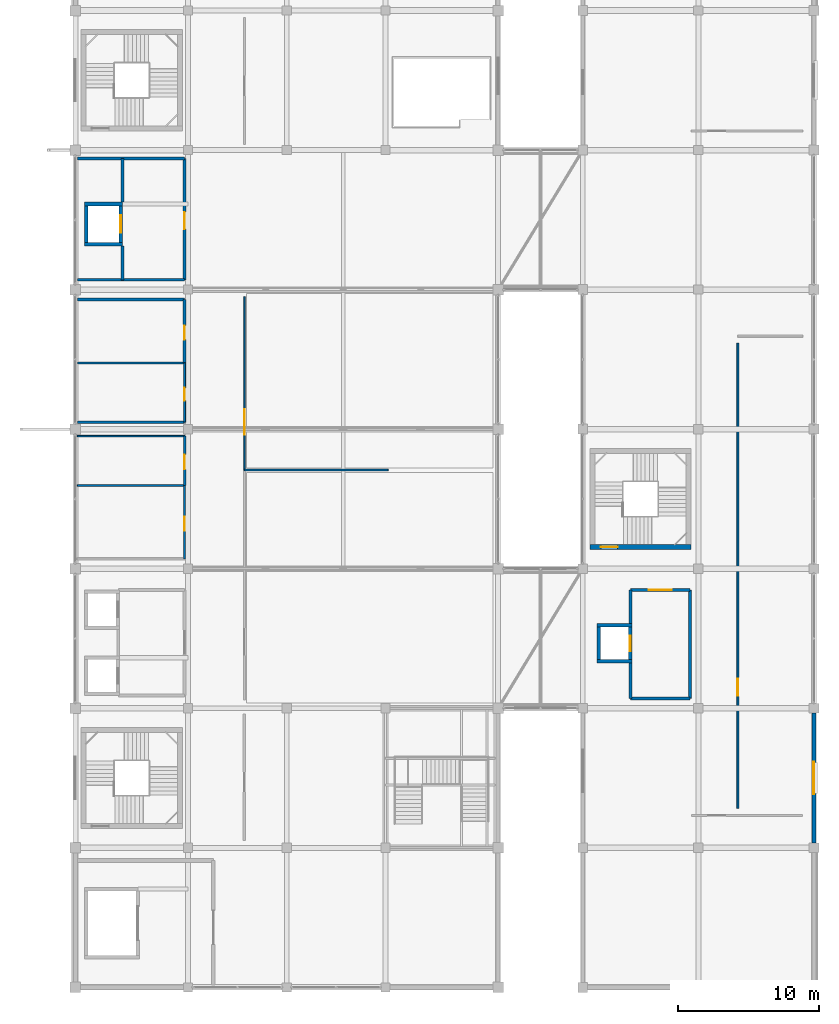
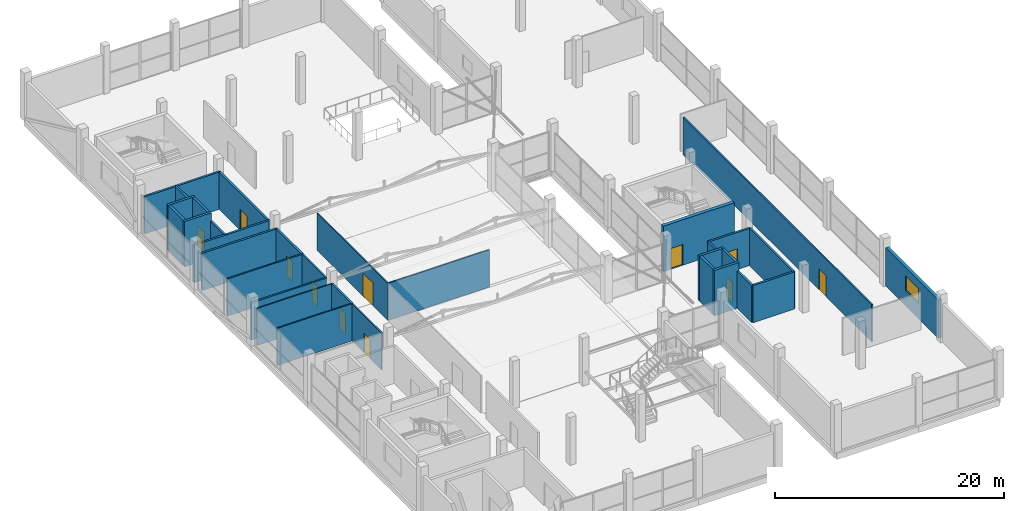
# One storey, part 54 of 67: 32 walls, 11 doors, 1 window, 12 openings.
"""IFC4 building model written with IfcOpenShell, lengths in metres."""

from ifc_helpers import new_model, si_unit, direction, frame, frame_2d, origin, place, context, subcontext, project, spatial, rectangle, extrude, material, layer, layer_set, type_object, element, fill, save


model = new_model("IFC4")

# Units and contexts
model_context = context("Model", 3, precision=1e-05, world=origin(), true_north=direction((0.0, 1.0)))
body_context = subcontext(model_context, "Body", "Model", "MODEL_VIEW")
ifc_project = project(units=[si_unit("LENGTHUNIT", "METRE"), si_unit("AREAUNIT", "SQUARE_METRE"), si_unit("VOLUMEUNIT", "CUBIC_METRE"), si_unit("PLANEANGLEUNIT", "RADIAN"), si_unit("MASSUNIT", "GRAM", prefix="KILO")], contexts=[model_context])

# Site, building, storey
site_placement = place(None, origin())
site = spatial("IfcSite", under=ifc_project, at=site_placement, CompositionType="ELEMENT")
building_placement = place(site_placement, origin())
building = spatial("IfcBuilding", under=site, at=building_placement, Name="Sillaruma Civic Art Gallery", CompositionType="ELEMENT")
storey_placement = place(building_placement, frame((0.0, 0.0, 46.919921875)))
storey = spatial("IfcBuildingStorey", under=building, at=storey_placement, Name="L09", CompositionType="ELEMENT", Elevation=46.919921875)

# Wall, opening, door
ifc_material_1 = material(Name="Concrete H40 (40 MPa)", Category="concrete")
ifc_layer_1 = layer(ifc_material_1, 0.35009765625, Name="Concrete H40 (40 MPa)")
ifc_layer_set_1 = layer_set([ifc_layer_1], Name="Concrete H40 (40 MPa)")
wall_type_1 = type_object("IfcWallType", Name="WAL-CORE-350", PredefinedType="SHEAR", material=ifc_layer_set_1)
wall_1_placement = place(storey_placement, frame((98.510009765625, 51.034912109375, 0.0), z_axis=(0.0, 0.0, 1.0), x_axis=(1.0, 0.0, 0.0)))
wall_1 = element("IfcWall", 1, at=wall_1_placement, inside=storey, type_object=wall_type_1, Name="Stair Core Shear Wall W-CORE-350 (ST-04:L09:S)", PredefinedType="SHEAR", context=body_context, shape_type="SweptSolid", body=[
    extrude(rectangle(XDim=7.179931640625, YDim=0.35009765625, at=frame_2d((3.58984375, 0.0))), origin(), (0.0, 0.0, 1.0), 4.85009765625),
])
opening_1_placement = place(wall_1_placement, frame((0.77001953125, 0.0, 0.0)))
opening_1 = element("IfcOpeningElement", 2, at=opening_1_placement, cuts=wall_1, Name="Opening D-STAIR", PredefinedType="OPENING", context=body_context, shape_type="SweptSolid", body=[
    extrude(rectangle(XDim=1.199951171875, YDim=2.199951171875, at=frame_2d((0.60009765625, 1.10009765625))), frame((0.0, 0.18505859375, 0.0), z_axis=(0.0, -1.0, 0.0), x_axis=(1.0, 0.0, 0.0)), (0.0, 0.0, 1.0), 0.3701171875),
])
ifc_material_2 = material(Name="Galvanised Steel ASTM A653 Gr.50", Category="steel")
door_type_1 = type_object("IfcDoorType", Name="DOR-STAIR-120", OperationType="NOTDEFINED", PredefinedType="DOOR", material=ifc_material_2)
door_1_placement = place(opening_1_placement, origin())
door_1 = element("IfcDoor", 3, at=door_1_placement, inside=storey, type_object=door_type_1, Name="Protected Stair Fire Door (ST-04:L09)", OperationType="SINGLE_SWING_LEFT", OverallHeight=2.199951171875, OverallWidth=1.199951171875, PredefinedType="DOOR", context=body_context, shape_type="SweptSolid", body=[
    extrude(rectangle(XDim=1.199951171875, YDim=2.199951171875, at=frame_2d((0.60009765625, 1.10009765625))), frame((0.0, 0.02490234375, 0.0), z_axis=(0.0, -1.0, 0.0), x_axis=(1.0, 0.0, 0.0)), (0.0, 0.0, 1.0), 0.050048828125),
])
fill(opening_1, door_1)

# Wall, opening, window
ifc_material_3 = material(Name="Precast Concrete H35 (35 MPa)", Category="concrete")
ifc_layer_2 = layer(ifc_material_3, 0.179931640625, Name="Precast backup", Category="concrete")
ifc_material_4 = material(Name="Mineral Wool Thermal Insulation", Category="insulation")
ifc_layer_3 = layer(ifc_material_4, 0.090087890625, Name="Thermal insulation", Category="insulation")
ifc_material_5 = material(Name="Comanche Granitic Ashlar Stone", Category="masonry")
ifc_layer_4 = layer(ifc_material_5, 0.030029296875, Name="Rainscreen cladding", Category="masonry")
ifc_layer_set_2 = layer_set([ifc_layer_2, ifc_layer_3, ifc_layer_4], Name="W-EXT-300")
wall_type_2 = type_object("IfcWallType", Name="WAL-EXT-300", PredefinedType="SOLIDWALL", material=ifc_layer_set_2)
wall_2_placement = place(storey_placement, frame((114.39990234375, 30.050048828125, 0.0), z_axis=(0.0, 0.0, 1.0), x_axis=(0.0, 1.0, 0.0)))
wall_2 = element("IfcWall", 4, at=wall_2_placement, inside=storey, type_object=wall_type_2, Name="Exterior Wall W-EXT-300 (EW-L09-EBE-2)", PredefinedType="SOLIDWALL", context=body_context, shape_type="SweptSolid", body=[
    extrude(rectangle(XDim=9.199951171875, YDim=0.300048828125, at=frame_2d((4.60009765625, 0.0))), origin(), (0.0, 0.0, 1.0), 4.10009765625),
])
opening_2_placement = place(wall_2_placement, frame((3.449951171875, 0.0, 1.64990234375)))
opening_2 = element("IfcOpeningElement", 5, at=opening_2_placement, cuts=wall_2, Name="Opening WN-12", PredefinedType="OPENING", context=body_context, shape_type="SweptSolid", body=[
    extrude(rectangle(XDim=2.300048828125, YDim=1.550048828125, at=frame_2d((1.14990234375, 0.77490234375))), frame((0.0, 0.159912109375, 0.0), z_axis=(0.0, -1.0, 0.0), x_axis=(1.0, 0.0, 0.0)), (0.0, 0.0, 1.0), 0.320068359375),
])
ifc_material_6 = material(Name="Thermally Broken Extruded Aluminium 6063-T6", Category="aluminium")
window_type = type_object("IfcWindowType", Name="WIN-W12", PartitioningType="SINGLE_PANEL", PredefinedType="WINDOW", material=ifc_material_6)
window_placement = place(opening_2_placement, origin())
window = element("IfcWindow", 6, at=window_placement, inside=storey, type_object=window_type, Name="Window WN-12 (EW-L09-EBE-2-1)", OverallHeight=1.550048828125, OverallWidth=2.300048828125, PartitioningType="SINGLE_PANEL", PredefinedType="WINDOW", context=body_context, shape_type="SweptSolid", body=[
    extrude(rectangle(XDim=2.300048828125, YDim=1.550048828125, at=frame_2d((1.14990234375, 0.77490234375))), frame((0.0, 0.030029296875, 0.0), z_axis=(0.0, -1.0, 0.0), x_axis=(1.0, 0.0, 0.0)), (0.0, 0.0, 1.0), 0.06005859375),
])
fill(opening_2, window)

# Walls
ifc_material_7 = material(Name="Concrete Masonry Unit Grade M15", Category="masonry")
ifc_layer_5 = layer(ifc_material_7, 0.199951171875, Name="Concrete Masonry Unit Grade M15")
ifc_layer_set_3 = layer_set([ifc_layer_5], Name="Concrete Masonry Unit Grade M15")
wall_type_3 = type_object("IfcWallType", Name="WAL-LOBBY-200", PredefinedType="SOLIDWALL", material=ifc_layer_set_3)
for number, where, z_axis, x_axis, name in (
    (7, (62.14990234375, 70.0, 0.0), (0.0, 0.0, 1.0), (1.0, 0.0, 0.0), "Interior Wall W-LOBBY-200 (L09-FFL)"),
    (8, (62.14990234375, 78.60009765625, 0.0), (0.0, 0.0, 1.0), (1.0, 0.0, 0.0), "Interior Wall W-LOBBY-200 (L09-FFL)"),
):
    element("IfcWall", number, at=place(storey_placement, frame(where, z_axis=z_axis, x_axis=x_axis)), inside=storey, type_object=wall_type_3, Name=name, PredefinedType="SOLIDWALL", context=body_context, shape_type="SweptSolid", body=[
        extrude(rectangle(XDim=7.60009765625, YDim=0.199951171875, at=frame_2d((3.800048828125, 0.0))), origin(), (0.0, 0.0, 1.0), 3.969970703125),
    ])
wall_3_placement = place(storey_placement, frame((65.35009765625, 70.0, 0.0), z_axis=(0.0, 0.0, 1.0), x_axis=(0.0, 1.0, 0.0)))
element("IfcWall", 9, at=wall_3_placement, inside=storey, type_object=wall_type_3, Name="Interior Wall W-LOBBY-200 (L09-FFL)", PredefinedType="SOLIDWALL", context=body_context, shape_type="SweptSolid", body=[
    extrude(rectangle(XDim=2.39990234375, YDim=0.199951171875, at=frame_2d((1.199951171875, 0.0))), origin(), (0.0, 0.0, 1.0), 3.969970703125),
])
wall_4_placement = place(storey_placement, frame((65.35009765625, 75.5, 0.0), z_axis=(0.0, 0.0, 1.0), x_axis=(0.0, 1.0, 0.0)))
element("IfcWall", 10, at=wall_4_placement, inside=storey, type_object=wall_type_3, Name="Interior Wall W-LOBBY-200 (L09-FFL)", PredefinedType="SOLIDWALL", context=body_context, shape_type="SweptSolid", body=[
    extrude(rectangle(XDim=3.10009765625, YDim=0.199951171875, at=frame_2d((1.550048828125, 0.0))), origin(), (0.0, 0.0, 1.0), 3.969970703125),
])

# Wall, opening, door
wall_5_placement = place(storey_placement, frame((69.75, 70.0, 0.0), z_axis=(0.0, 0.0, 1.0), x_axis=(0.0, 1.0, 0.0)))
wall_5 = element("IfcWall", 11, at=wall_5_placement, inside=storey, type_object=wall_type_3, Name="Interior Wall W-LOBBY-200 (L09-FFL)", PredefinedType="SOLIDWALL", context=body_context, shape_type="SweptSolid", body=[
    extrude(rectangle(XDim=8.60009765625, YDim=0.199951171875, at=frame_2d((4.300048828125, 0.0))), origin(), (0.0, 0.0, 1.0), 3.969970703125),
])
opening_3_placement = place(wall_5_placement, frame((3.60009765625, 0.0, 0.0)))
opening_3 = element("IfcOpeningElement", 12, at=opening_3_placement, cuts=wall_5, Name="Opening D-FFL", PredefinedType="OPENING", context=body_context, shape_type="SweptSolid", body=[
    extrude(rectangle(XDim=1.199951171875, YDim=2.25, at=frame_2d((0.60009765625, 1.125))), frame((0.0, 0.10986328125, 0.0), z_axis=(0.0, -1.0, 0.0), x_axis=(1.0, 0.0, 0.0)), (0.0, 0.0, 1.0), 0.219970703125),
])
door_type_2 = type_object("IfcDoorType", Name="DOR-FFL-120", OperationType="NOTDEFINED", PredefinedType="DOOR", material=ifc_material_2)
door_2_placement = place(opening_3_placement, origin())
door_2 = element("IfcDoor", 13, at=door_2_placement, inside=storey, type_object=door_type_2, Name="Firefighting Lobby Door (D-FFL)", OperationType="SINGLE_SWING_RIGHT", OverallHeight=2.25, OverallWidth=1.199951171875, PredefinedType="DOOR", context=body_context, shape_type="SweptSolid", body=[
    extrude(rectangle(XDim=1.199951171875, YDim=2.25, at=frame_2d((0.60009765625, 1.125))), frame((0.0, 0.02490234375, 0.0), z_axis=(0.0, -1.0, 0.0), x_axis=(1.0, 0.0, 0.0)), (0.0, 0.0, 1.0), 0.050048828125),
])
fill(opening_3, door_2)

# Wall
wall_6_placement = place(storey_placement, frame((62.14990234375, 68.60009765625, 0.0), z_axis=(0.0, 0.0, 1.0), x_axis=(1.0, 0.0, 0.0)))
element("IfcWall", 14, at=wall_6_placement, inside=storey, type_object=wall_type_3, Name="Interior Wall W-LOBBY-200 (L09-RSR)", PredefinedType="SOLIDWALL", context=body_context, shape_type="SweptSolid", body=[
    extrude(rectangle(XDim=7.60009765625, YDim=0.199951171875, at=frame_2d((3.800048828125, 0.0))), origin(), (0.0, 0.0, 1.0), 3.969970703125),
])

# Wall, opening, door
wall_7_placement = place(storey_placement, frame((69.75, 64.10009765625, 0.0), z_axis=(0.0, 0.0, 1.0), x_axis=(0.0, 1.0, 0.0)))
wall_7 = element("IfcWall", 15, at=wall_7_placement, inside=storey, type_object=wall_type_3, Name="Interior Wall W-LOBBY-200 (L09-RSR)", PredefinedType="SOLIDWALL", context=body_context, shape_type="SweptSolid", body=[
    extrude(rectangle(XDim=4.5, YDim=0.199951171875, at=frame_2d((2.25, 0.0))), origin(), (0.0, 0.0, 1.0), 3.969970703125),
])
opening_4_placement = place(wall_7_placement, frame((1.64990234375, 0.0, 0.0)))
opening_4 = element("IfcOpeningElement", 16, at=opening_4_placement, cuts=wall_7, Name="Opening D-RISER", PredefinedType="OPENING", context=body_context, shape_type="SweptSolid", body=[
    extrude(rectangle(XDim=1.0, YDim=2.14990234375, at=frame_2d((0.5, 1.074951171875))), frame((0.0, 0.10986328125, 0.0), z_axis=(0.0, -1.0, 0.0), x_axis=(1.0, 0.0, 0.0)), (0.0, 0.0, 1.0), 0.219970703125),
])
door_type_3 = type_object("IfcDoorType", Name="DOR-RISER-100", OperationType="NOTDEFINED", PredefinedType="DOOR", material=ifc_material_2)
door_3_placement = place(opening_4_placement, origin())
door_3 = element("IfcDoor", 17, at=door_3_placement, inside=storey, type_object=door_type_3, Name="MEP Service Riser Door (D-RISER)", OperationType="SINGLE_SWING_RIGHT", OverallHeight=2.14990234375, OverallWidth=1.0, PredefinedType="DOOR", context=body_context, shape_type="SweptSolid", body=[
    extrude(rectangle(XDim=1.0, YDim=2.14990234375, at=frame_2d((0.5, 1.074951171875))), frame((0.0, 0.02490234375, 0.0), z_axis=(0.0, -1.0, 0.0), x_axis=(1.0, 0.0, 0.0)), (0.0, 0.0, 1.0), 0.050048828125),
])
fill(opening_4, door_3)

# Walls
wall_8_placement = place(storey_placement, frame((101.39990234375, 40.300048828125, 0.0), z_axis=(0.0, 0.0, 1.0), x_axis=(1.0, 0.0, 0.0)))
element("IfcWall", 18, at=wall_8_placement, inside=storey, type_object=wall_type_3, Name="Interior Wall W-LOBBY-200 (L09-LLE)", PredefinedType="SOLIDWALL", context=body_context, shape_type="SweptSolid", body=[
    extrude(rectangle(XDim=4.2001953125, YDim=0.199951171875, at=frame_2d((2.10009765625, 0.0))), origin(), (0.0, 0.0, 1.0), 3.969970703125),
])
wall_9_placement = place(storey_placement, frame((101.39990234375, 40.300048828125, 0.0), z_axis=(0.0, 0.0, 1.0), x_axis=(0.0, 1.0, 0.0)))
element("IfcWall", 19, at=wall_9_placement, inside=storey, type_object=wall_type_3, Name="Interior Wall W-LOBBY-200 (L09-LLE)", PredefinedType="SOLIDWALL", context=body_context, shape_type="SweptSolid", body=[
    extrude(rectangle(XDim=2.5, YDim=0.199951171875, at=frame_2d((1.25, 0.0))), origin(), (0.0, 0.0, 1.0), 3.969970703125),
])
wall_10_placement = place(storey_placement, frame((101.39990234375, 45.60009765625, 0.0), z_axis=(0.0, 0.0, 1.0), x_axis=(0.0, 1.0, 0.0)))
element("IfcWall", 20, at=wall_10_placement, inside=storey, type_object=wall_type_3, Name="Interior Wall W-LOBBY-200 (L09-LLE)", PredefinedType="SOLIDWALL", context=body_context, shape_type="SweptSolid", body=[
    extrude(rectangle(XDim=2.39990234375, YDim=0.199951171875, at=frame_2d((1.199951171875, 0.0))), origin(), (0.0, 0.0, 1.0), 3.969970703125),
])
wall_11_placement = place(storey_placement, frame((105.60009765625, 40.300048828125, 0.0), z_axis=(0.0, 0.0, 1.0), x_axis=(0.0, 1.0, 0.0)))
element("IfcWall", 21, at=wall_11_placement, inside=storey, type_object=wall_type_3, Name="Interior Wall W-LOBBY-200 (L09-LLE)", PredefinedType="SOLIDWALL", context=body_context, shape_type="SweptSolid", body=[
    extrude(rectangle(XDim=7.699951171875, YDim=0.199951171875, at=frame_2d((3.85009765625, 0.0))), origin(), (0.0, 0.0, 1.0), 3.969970703125),
])

# Wall, opening, door
wall_12_placement = place(storey_placement, frame((101.39990234375, 48.0, 0.0), z_axis=(0.0, 0.0, 1.0), x_axis=(1.0, 0.0, 0.0)))
wall_12 = element("IfcWall", 22, at=wall_12_placement, inside=storey, type_object=wall_type_3, Name="Interior Wall W-LOBBY-200 (L09-LLE)", PredefinedType="SOLIDWALL", context=body_context, shape_type="SweptSolid", body=[
    extrude(rectangle(XDim=4.2001953125, YDim=0.199951171875, at=frame_2d((2.10009765625, 0.0))), origin(), (0.0, 0.0, 1.0), 3.969970703125),
])
opening_5_placement = place(wall_12_placement, frame((1.300048828125, 0.0, 0.0)))
opening_5 = element("IfcOpeningElement", 23, at=opening_5_placement, cuts=wall_12, Name="Opening D-LOBBY", PredefinedType="OPENING", context=body_context, shape_type="SweptSolid", body=[
    extrude(rectangle(XDim=1.60009765625, YDim=2.199951171875, at=frame_2d((0.800048828125, 1.10009765625))), frame((0.0, 0.10986328125, 0.0), z_axis=(0.0, -1.0, 0.0), x_axis=(1.0, 0.0, 0.0)), (0.0, 0.0, 1.0), 0.219970703125),
])
door_type_4 = type_object("IfcDoorType", Name="DOR-LOBBY-160", OperationType="NOTDEFINED", PredefinedType="DOOR", material=ifc_material_6)
door_4_placement = place(opening_5_placement, origin())
door_4 = element("IfcDoor", 24, at=door_4_placement, inside=storey, type_object=door_type_4, Name="East Lift Lobby Door (D-LOBBY)", OperationType="DOUBLE_DOOR_SINGLE_SWING", OverallHeight=2.199951171875, OverallWidth=1.60009765625, PredefinedType="DOOR", context=body_context, shape_type="SweptSolid", body=[
    extrude(rectangle(XDim=1.60009765625, YDim=2.199951171875, at=frame_2d((0.800048828125, 1.10009765625))), frame((0.0, 0.02490234375, 0.0), z_axis=(0.0, -1.0, 0.0), x_axis=(1.0, 0.0, 0.0)), (0.0, 0.0, 1.0), 0.050048828125),
])
fill(opening_5, door_4)

# Wall
ifc_material_8 = material(Name="Gypsum Acoustic Board", Category="gypsum")
ifc_layer_6 = layer(ifc_material_8, 0.02490234375, Name="Finish board", Category="gypsum")
ifc_layer_7 = layer(ifc_material_4, 0.06005859375, Name="Acoustic core", Category="insulation")
ifc_material_9 = material(Name="Andean Oak Timber", Category="wood")
ifc_layer_8 = layer(ifc_material_9, 0.02490234375, Name="Gallery lining", Category="wood")
ifc_layer_set_4 = layer_set([ifc_layer_6, ifc_layer_7, ifc_layer_8], Name="W-PT-110")
wall_type_4 = type_object("IfcWallType", Name="WAL-PART-110", PredefinedType="PARTITIONING", material=ifc_layer_set_4)
wall_13_placement = place(storey_placement, frame((62.14990234375, 58.89990234375, 0.0), z_axis=(0.0, 0.0, 1.0), x_axis=(1.0, 0.0, 0.0)))
element("IfcWall", 25, at=wall_13_placement, inside=storey, type_object=wall_type_4, Name="Interior Wall W-PT-110 (L09-WCA)", PredefinedType="PARTITIONING", context=body_context, shape_type="SweptSolid", body=[
    extrude(rectangle(XDim=7.60009765625, YDim=0.110107421875, at=frame_2d((3.800048828125, 0.0))), origin(), (0.0, 0.0, 1.0), 3.969970703125),
])

# Wall, opening, door
wall_14_placement = place(storey_placement, frame((74.0, 56.5, 0.0), z_axis=(0.0, 0.0, 1.0), x_axis=(0.0, 1.0, 0.0)))
wall_14 = element("IfcWall", 26, at=wall_14_placement, inside=storey, type_object=wall_type_4, Name="Interior Wall W-PT-110 (L09-GALW2)", PredefinedType="PARTITIONING", context=body_context, shape_type="SweptSolid", body=[
    extrude(rectangle(XDim=12.300048828125, YDim=0.110107421875, at=frame_2d((6.14990234375, 0.0))), origin(), (0.0, 0.0, 1.0), 3.969970703125),
])
opening_6_placement = place(wall_14_placement, frame((2.5, 0.0, 0.0)))
opening_6 = element("IfcOpeningElement", 27, at=opening_6_placement, cuts=wall_14, Name="Opening D-GAL18", PredefinedType="OPENING", context=body_context, shape_type="SweptSolid", body=[
    extrude(rectangle(XDim=1.800048828125, YDim=2.449951171875, at=frame_2d((0.89990234375, 1.22509765625))), frame((0.0, 0.06494140625, 0.0), z_axis=(0.0, -1.0, 0.0), x_axis=(1.0, 0.0, 0.0)), (0.0, 0.0, 1.0), 0.130126953125),
])
door_type_5 = type_object("IfcDoorType", Name="DOR-GAL-180", OperationType="NOTDEFINED", PredefinedType="DOOR", material=ifc_material_9)
door_5_placement = place(opening_6_placement, origin())
door_5 = element("IfcDoor", 28, at=door_5_placement, inside=storey, type_object=door_type_5, Name="Paired Wing North Gallery (L09) Door (D-GAL18)", OperationType="DOUBLE_DOOR_SINGLE_SWING", OverallHeight=2.449951171875, OverallWidth=1.800048828125, PredefinedType="DOOR", context=body_context, shape_type="SweptSolid", body=[
    extrude(rectangle(XDim=1.800048828125, YDim=2.449951171875, at=frame_2d((0.89990234375, 1.22509765625))), frame((0.0, 0.02490234375, 0.0), z_axis=(0.0, -1.0, 0.0), x_axis=(1.0, 0.0, 0.0)), (0.0, 0.0, 1.0), 0.050048828125),
])
fill(opening_6, door_5)

ifc_layer_9 = layer(ifc_material_8, 0.02490234375, Name="Finish board", Category="gypsum")
ifc_layer_10 = layer(ifc_material_4, 0.070068359375, Name="Acoustic core", Category="insulation")
ifc_layer_11 = layer(ifc_material_9, 0.02490234375, Name="Gallery lining", Category="wood")
ifc_layer_set_5 = layer_set([ifc_layer_9, ifc_layer_10, ifc_layer_11], Name="W-PT-120")
wall_type_5 = type_object("IfcWallType", Name="WAL-PART-120", PredefinedType="PARTITIONING", material=ifc_layer_set_5)
wall_15_placement = place(storey_placement, frame((69.75, 50.199951171875, 0.0), z_axis=(0.0, 0.0, 1.0), x_axis=(0.0, 1.0, 0.0)))
wall_15 = element("IfcWall", 29, at=wall_15_placement, inside=storey, type_object=wall_type_5, Name="Interior Wall W-PT-120 (L09-WC1)", PredefinedType="PARTITIONING", context=body_context, shape_type="SweptSolid", body=[
    extrude(rectangle(XDim=5.199951171875, YDim=0.1201171875, at=frame_2d((2.60009765625, 0.0))), origin(), (0.0, 0.0, 1.0), 3.969970703125),
])
opening_7_placement = place(wall_15_placement, frame((2.0, 0.0, 0.0)))
opening_7 = element("IfcOpeningElement", 30, at=opening_7_placement, cuts=wall_15, Name="Opening D-WC10", PredefinedType="OPENING", context=body_context, shape_type="SweptSolid", body=[
    extrude(rectangle(XDim=1.0, YDim=2.10009765625, at=frame_2d((0.5, 1.050048828125))), frame((0.0, 0.070068359375, 0.0), z_axis=(0.0, -1.0, 0.0), x_axis=(1.0, 0.0, 0.0)), (0.0, 0.0, 1.0), 0.14013671875),
])
door_type_6 = type_object("IfcDoorType", Name="DOR-WC-100", OperationType="NOTDEFINED", PredefinedType="DOOR", material=ifc_material_9)
door_6_placement = place(opening_7_placement, origin())
door_6 = element("IfcDoor", 31, at=door_6_placement, inside=storey, type_object=door_type_6, Name="Public WC Door (D-WC10)", OperationType="SINGLE_SWING_LEFT", OverallHeight=2.10009765625, OverallWidth=1.0, PredefinedType="DOOR", context=body_context, shape_type="SweptSolid", body=[
    extrude(rectangle(XDim=1.0, YDim=2.10009765625, at=frame_2d((0.5, 1.050048828125))), frame((0.0, 0.02490234375, 0.0), z_axis=(0.0, -1.0, 0.0), x_axis=(1.0, 0.0, 0.0)), (0.0, 0.0, 1.0), 0.050048828125),
])
fill(opening_7, door_6)

# Walls
ifc_layer_12 = layer(ifc_material_8, 0.02490234375, Name="Finish board", Category="gypsum")
ifc_layer_13 = layer(ifc_material_4, 0.080078125, Name="Acoustic core", Category="insulation")
ifc_layer_14 = layer(ifc_material_9, 0.02490234375, Name="Gallery lining", Category="wood")
ifc_layer_set_6 = layer_set([ifc_layer_12, ifc_layer_13, ifc_layer_14], Name="W-PT-130")
wall_type_6 = type_object("IfcWallType", Name="WAL-PART-130", PredefinedType="PARTITIONING", material=ifc_layer_set_6)
wall_16_placement = place(storey_placement, frame((62.14990234375, 55.39990234375, 0.0), z_axis=(0.0, 0.0, 1.0), x_axis=(1.0, 0.0, 0.0)))
element("IfcWall", 32, at=wall_16_placement, inside=storey, type_object=wall_type_6, Name="Interior Wall W-PT-130 (L09-WC1)", PredefinedType="PARTITIONING", context=body_context, shape_type="SweptSolid", body=[
    extrude(rectangle(XDim=7.60009765625, YDim=0.1298828125, at=frame_2d((3.800048828125, 0.0))), origin(), (0.0, 0.0, 1.0), 3.969970703125),
])
wall_17_placement = place(storey_placement, frame((74.0, 56.5, 0.0), z_axis=(0.0, 0.0, 1.0), x_axis=(1.0, 0.0, 0.0)))
element("IfcWall", 33, at=wall_17_placement, inside=storey, type_object=wall_type_6, Name="Interior Wall W-PT-130 (L09-GALW1)", PredefinedType="PARTITIONING", context=body_context, shape_type="SweptSolid", body=[
    extrude(rectangle(XDim=10.199951171875, YDim=0.1298828125, at=frame_2d((5.10009765625, 0.0))), origin(), (0.0, 0.0, 1.0), 3.969970703125),
])

# Wall, opening, door
ifc_layer_15 = layer(ifc_material_8, 0.02490234375, Name="Finish board", Category="gypsum")
ifc_layer_16 = layer(ifc_material_4, 0.090087890625, Name="Acoustic core", Category="insulation")
ifc_layer_17 = layer(ifc_material_9, 0.02490234375, Name="Gallery lining", Category="wood")
ifc_layer_set_7 = layer_set([ifc_layer_15, ifc_layer_16, ifc_layer_17], Name="W-PT-140")
wall_type_7 = type_object("IfcWallType", Name="WAL-PART-140", PredefinedType="PARTITIONING", material=ifc_layer_set_7)
wall_18_placement = place(storey_placement, frame((69.75, 59.89990234375, 0.0), z_axis=(0.0, 0.0, 1.0), x_axis=(0.0, 1.0, 0.0)))
wall_18 = element("IfcWall", 34, at=wall_18_placement, inside=storey, type_object=wall_type_7, Name="Interior Wall W-PT-140 (L09-CLN)", PredefinedType="PARTITIONING", context=body_context, shape_type="SweptSolid", body=[
    extrude(rectangle(XDim=4.2001953125, YDim=0.139892578125, at=frame_2d((2.10009765625, 0.0))), origin(), (0.0, 0.0, 1.0), 3.969970703125),
])
opening_8_placement = place(wall_18_placement, frame((1.5, 0.0, 0.0)))
opening_8 = element("IfcOpeningElement", 35, at=opening_8_placement, cuts=wall_18, Name="Opening D-SVC09", PredefinedType="OPENING", context=body_context, shape_type="SweptSolid", body=[
    extrude(rectangle(XDim=0.949951171875, YDim=2.10009765625, at=frame_2d((0.47509765625, 1.050048828125))), frame((0.0, 0.079833984375, 0.0), z_axis=(0.0, -1.0, 0.0), x_axis=(1.0, 0.0, 0.0)), (0.0, 0.0, 1.0), 0.159912109375),
])
door_type_7 = type_object("IfcDoorType", Name="DOR-SVC-095", OperationType="NOTDEFINED", PredefinedType="DOOR", material=ifc_material_9)
door_7_placement = place(opening_8_placement, origin())
door_7 = element("IfcDoor", 36, at=door_7_placement, inside=storey, type_object=door_type_7, Name="Cleaner Store Door (D-SVC09)", OperationType="SINGLE_SWING_LEFT", OverallHeight=2.10009765625, OverallWidth=0.949951171875, PredefinedType="DOOR", context=body_context, shape_type="SweptSolid", body=[
    extrude(rectangle(XDim=0.949951171875, YDim=2.10009765625, at=frame_2d((0.47509765625, 1.050048828125))), frame((0.0, 0.02490234375, 0.0), z_axis=(0.0, -1.0, 0.0), x_axis=(1.0, 0.0, 0.0)), (0.0, 0.0, 1.0), 0.050048828125),
])
fill(opening_8, door_7)

wall_19_placement = place(storey_placement, frame((109.0, 32.5, 0.0), z_axis=(0.0, 0.0, 1.0), x_axis=(0.0, 1.0, 0.0)))
wall_19 = element("IfcWall", 37, at=wall_19_placement, inside=storey, type_object=wall_type_7, Name="Interior Wall W-PT-140 (L09-STDE2)", PredefinedType="PARTITIONING", context=body_context, shape_type="SweptSolid", body=[
    extrude(rectangle(XDim=33.0, YDim=0.139892578125, at=frame_2d((16.5, 0.0))), origin(), (0.0, 0.0, 1.0), 3.969970703125),
])
opening_9_placement = place(wall_19_placement, frame((8.0, 0.0, 0.0)))
opening_9 = element("IfcOpeningElement", 38, at=opening_9_placement, cuts=wall_19, Name="Opening D-STD12", PredefinedType="OPENING", context=body_context, shape_type="SweptSolid", body=[
    extrude(rectangle(XDim=1.199951171875, YDim=2.25, at=frame_2d((0.60009765625, 1.125))), frame((0.0, 0.079833984375, 0.0), z_axis=(0.0, -1.0, 0.0), x_axis=(1.0, 0.0, 0.0)), (0.0, 0.0, 1.0), 0.159912109375),
])
door_type_8 = type_object("IfcDoorType", Name="DOR-STD-120", OperationType="NOTDEFINED", PredefinedType="DOOR", material=ifc_material_9)
door_8_placement = place(opening_9_placement, origin())
door_8 = element("IfcDoor", 39, at=door_8_placement, inside=storey, type_object=door_type_8, Name="East Wing Central Artist Studio (L09) Door (D-STD12)", OperationType="SINGLE_SWING_RIGHT", OverallHeight=2.25, OverallWidth=1.199951171875, PredefinedType="DOOR", context=body_context, shape_type="SweptSolid", body=[
    extrude(rectangle(XDim=1.199951171875, YDim=2.25, at=frame_2d((0.60009765625, 1.125))), frame((0.0, 0.02490234375, 0.0), z_axis=(0.0, -1.0, 0.0), x_axis=(1.0, 0.0, 0.0)), (0.0, 0.0, 1.0), 0.050048828125),
])
fill(opening_9, door_8)

# Walls
ifc_layer_18 = layer(ifc_material_8, 0.02490234375, Name="Finish board", Category="gypsum")
ifc_layer_19 = layer(ifc_material_4, 0.10009765625, Name="Acoustic core", Category="insulation")
ifc_layer_20 = layer(ifc_material_9, 0.02490234375, Name="Gallery lining", Category="wood")
ifc_layer_set_8 = layer_set([ifc_layer_18, ifc_layer_19, ifc_layer_20], Name="W-PT-150")
wall_type_8 = type_object("IfcWallType", Name="WAL-PART-150", PredefinedType="PARTITIONING", material=ifc_layer_set_8)
wall_20_placement = place(storey_placement, frame((62.14990234375, 64.10009765625, 0.0), z_axis=(0.0, 0.0, 1.0), x_axis=(1.0, 0.0, 0.0)))
element("IfcWall", 40, at=wall_20_placement, inside=storey, type_object=wall_type_8, Name="Interior Wall W-PT-150 (L09-CLN)", PredefinedType="PARTITIONING", context=body_context, shape_type="SweptSolid", body=[
    extrude(rectangle(XDim=7.60009765625, YDim=0.14990234375, at=frame_2d((3.800048828125, 0.0))), origin(), (0.0, 0.0, 1.0), 3.969970703125),
])
ifc_layer_21 = layer(ifc_material_8, 0.02490234375, Name="Finish board", Category="gypsum")
ifc_layer_22 = layer(ifc_material_4, 0.114990234375, Name="Acoustic core", Category="insulation")
ifc_layer_23 = layer(ifc_material_9, 0.02490234375, Name="Gallery lining", Category="wood")
ifc_layer_set_9 = layer_set([ifc_layer_21, ifc_layer_22, ifc_layer_23], Name="W-PT-165")
wall_type_9 = type_object("IfcWallType", Name="WAL-PART-165", PredefinedType="PARTITIONING", material=ifc_layer_set_9)
wall_21_placement = place(storey_placement, frame((62.14990234375, 59.89990234375, 0.0), z_axis=(0.0, 0.0, 1.0), x_axis=(1.0, 0.0, 0.0)))
element("IfcWall", 41, at=wall_21_placement, inside=storey, type_object=wall_type_9, Name="Interior Wall W-PT-165 (L09-CLN)", PredefinedType="PARTITIONING", context=body_context, shape_type="SweptSolid", body=[
    extrude(rectangle(XDim=7.60009765625, YDim=0.1650390625, at=frame_2d((3.800048828125, 0.0))), origin(), (0.0, 0.0, 1.0), 3.969970703125),
])

# Wall, opening, door
ifc_layer_24 = layer(ifc_material_8, 0.02490234375, Name="Finish board", Category="gypsum")
ifc_layer_25 = layer(ifc_material_4, 0.1298828125, Name="Acoustic core", Category="insulation")
ifc_layer_26 = layer(ifc_material_9, 0.02490234375, Name="Gallery lining", Category="wood")
ifc_layer_set_10 = layer_set([ifc_layer_24, ifc_layer_25, ifc_layer_26], Name="W-PT-180")
wall_type_10 = type_object("IfcWallType", Name="WAL-PART-180", PredefinedType="PARTITIONING", material=ifc_layer_set_10)
wall_22_placement = place(storey_placement, frame((69.75, 55.39990234375, 0.0), z_axis=(0.0, 0.0, 1.0), x_axis=(0.0, 1.0, 0.0)))
wall_22 = element("IfcWall", 42, at=wall_22_placement, inside=storey, type_object=wall_type_10, Name="Interior Wall W-PT-180 (L09-WCA)", PredefinedType="PARTITIONING", context=body_context, shape_type="SweptSolid", body=[
    extrude(rectangle(XDim=3.5, YDim=0.179931640625, at=frame_2d((1.75, 0.0))), origin(), (0.0, 0.0, 1.0), 3.969970703125),
])
opening_10_placement = place(wall_22_placement, frame((1.14990234375, 0.0, 0.0)))
opening_10 = element("IfcOpeningElement", 43, at=opening_10_placement, cuts=wall_22, Name="Opening D-AWC10", PredefinedType="OPENING", context=body_context, shape_type="SweptSolid", body=[
    extrude(rectangle(XDim=1.050048828125, YDim=2.14990234375, at=frame_2d((0.52490234375, 1.074951171875))), frame((0.0, 0.099853515625, 0.0), z_axis=(0.0, -1.0, 0.0), x_axis=(1.0, 0.0, 0.0)), (0.0, 0.0, 1.0), 0.199951171875),
])
door_type_9 = type_object("IfcDoorType", Name="DOR-AWC-105", OperationType="NOTDEFINED", PredefinedType="DOOR", material=ifc_material_9)
door_9_placement = place(opening_10_placement, origin())
door_9 = element("IfcDoor", 44, at=door_9_placement, inside=storey, type_object=door_type_9, Name="Accessible WC Door (D-AWC10)", OperationType="SINGLE_SWING_RIGHT", OverallHeight=2.14990234375, OverallWidth=1.050048828125, PredefinedType="DOOR", context=body_context, shape_type="SweptSolid", body=[
    extrude(rectangle(XDim=1.050048828125, YDim=2.14990234375, at=frame_2d((0.52490234375, 1.074951171875))), frame((0.0, 0.02490234375, 0.0), z_axis=(0.0, -1.0, 0.0), x_axis=(1.0, 0.0, 0.0)), (0.0, 0.0, 1.0), 0.050048828125),
])
fill(opening_10, door_9)

# Walls
ifc_layer_27 = layer(ifc_material_1, 0.25, Name="Concrete H40 (40 MPa)")
ifc_layer_set_11 = layer_set([ifc_layer_27], Name="Concrete H40 (40 MPa)")
wall_type_11 = type_object("IfcWallType", Name="WAL-SHAFT-250", PredefinedType="SOLIDWALL", material=ifc_layer_set_11)
for number, where, z_axis, x_axis, name in (
    (45, (99.0, 42.925048828125, 0.0), (0.0, 0.0, 1.0), (1.0, 0.0, 0.0), "Lift Shaft Wall W-SHAFT-250 (PL-03:L09:S)"),
    (46, (99.0, 45.47509765625, 0.0), (0.0, 0.0, 1.0), (1.0, 0.0, 0.0), "Lift Shaft Wall W-SHAFT-250 (PL-03:L09:N)"),
):
    element("IfcWall", number, at=place(storey_placement, frame(where, z_axis=z_axis, x_axis=x_axis)), inside=storey, type_object=wall_type_11, Name=name, PredefinedType="SOLIDWALL", context=body_context, shape_type="SweptSolid", body=[
        extrude(rectangle(XDim=2.5, YDim=0.25, at=frame_2d((1.25, 0.0))), origin(), (0.0, 0.0, 1.0), 4.830078125),
    ])
wall_23_placement = place(storey_placement, frame((99.125, 43.050048828125, 0.0), z_axis=(0.0, 0.0, 1.0), x_axis=(0.0, 1.0, 0.0)))
element("IfcWall", 47, at=wall_23_placement, inside=storey, type_object=wall_type_11, Name="Lift Shaft Wall W-SHAFT-250 (PL-03:L09:W)", PredefinedType="SOLIDWALL", context=body_context, shape_type="SweptSolid", body=[
    extrude(rectangle(XDim=2.300048828125, YDim=0.25, at=frame_2d((1.14990234375, 0.0))), origin(), (0.0, 0.0, 1.0), 4.830078125),
])

# Wall, opening, door
wall_24_placement = place(storey_placement, frame((101.375, 43.050048828125, 0.0), z_axis=(0.0, 0.0, 1.0), x_axis=(0.0, 1.0, 0.0)))
wall_24 = element("IfcWall", 48, at=wall_24_placement, inside=storey, type_object=wall_type_11, Name="Lift Shaft Wall W-SHAFT-250 (PL-03:L09:E)", PredefinedType="SOLIDWALL", context=body_context, shape_type="SweptSolid", body=[
    extrude(rectangle(XDim=2.300048828125, YDim=0.25, at=frame_2d((1.14990234375, 0.0))), origin(), (0.0, 0.0, 1.0), 4.830078125),
])
opening_11_placement = place(wall_24_placement, frame((0.60009765625, 0.0, 0.0)))
opening_11 = element("IfcOpeningElement", 49, at=opening_11_placement, cuts=wall_24, Name="Opening LD-01", PredefinedType="OPENING", context=body_context, shape_type="SweptSolid", body=[
    extrude(rectangle(XDim=1.10009765625, YDim=2.199951171875, at=frame_2d((0.550048828125, 1.10009765625))), frame((0.0, 0.135009765625, 0.0), z_axis=(0.0, -1.0, 0.0), x_axis=(1.0, 0.0, 0.0)), (0.0, 0.0, 1.0), 0.27001953125),
])
door_type_10 = type_object("IfcDoorType", Name="DOR-LD-01", OperationType="NOTDEFINED", PredefinedType="DOOR", material=ifc_material_2)
door_10_placement = place(opening_11_placement, origin())
door_10 = element("IfcDoor", 50, at=door_10_placement, inside=storey, type_object=door_type_10, Name="Lift Sliding Landing Door LD-01 (PL-03:L09)", OperationType="DOUBLE_DOOR_SLIDING", OverallHeight=2.199951171875, OverallWidth=1.10009765625, PredefinedType="DOOR", context=body_context, shape_type="SweptSolid", body=[
    extrude(rectangle(XDim=1.10009765625, YDim=2.199951171875, at=frame_2d((0.550048828125, 1.10009765625))), frame((0.0, 0.02490234375, 0.0), z_axis=(0.0, -1.0, 0.0), x_axis=(1.0, 0.0, 0.0)), (0.0, 0.0, 1.0), 0.050048828125),
])
fill(opening_11, door_10)

# Walls
for number, where, z_axis, x_axis, name in (
    (51, (62.64990234375, 72.52490234375, 0.0), (0.0, 0.0, 1.0), (1.0, 0.0, 0.0), "Lift Shaft Wall W-SHAFT-250 (FFL-01:L09:S)"),
    (52, (62.64990234375, 75.375, 0.0), (0.0, 0.0, 1.0), (1.0, 0.0, 0.0), "Lift Shaft Wall W-SHAFT-250 (FFL-01:L09:N)"),
):
    element("IfcWall", number, at=place(storey_placement, frame(where, z_axis=z_axis, x_axis=x_axis)), inside=storey, type_object=wall_type_11, Name=name, PredefinedType="SOLIDWALL", context=body_context, shape_type="SweptSolid", body=[
        extrude(rectangle(XDim=2.7001953125, YDim=0.25, at=frame_2d((1.35009765625, 0.0))), origin(), (0.0, 0.0, 1.0), 4.830078125),
    ])
wall_25_placement = place(storey_placement, frame((62.77490234375, 72.64990234375, 0.0), z_axis=(0.0, 0.0, 1.0), x_axis=(0.0, 1.0, 0.0)))
element("IfcWall", 53, at=wall_25_placement, inside=storey, type_object=wall_type_11, Name="Lift Shaft Wall W-SHAFT-250 (FFL-01:L09:W)", PredefinedType="SOLIDWALL", context=body_context, shape_type="SweptSolid", body=[
    extrude(rectangle(XDim=2.60009765625, YDim=0.25, at=frame_2d((1.300048828125, 0.0))), origin(), (0.0, 0.0, 1.0), 4.830078125),
])

# Wall, opening, door
wall_26_placement = place(storey_placement, frame((65.22509765625, 72.64990234375, 0.0), z_axis=(0.0, 0.0, 1.0), x_axis=(0.0, 1.0, 0.0)))
wall_26 = element("IfcWall", 54, at=wall_26_placement, inside=storey, type_object=wall_type_11, Name="Lift Shaft Wall W-SHAFT-250 (FFL-01:L09:E)", PredefinedType="SOLIDWALL", context=body_context, shape_type="SweptSolid", body=[
    extrude(rectangle(XDim=2.60009765625, YDim=0.25, at=frame_2d((1.300048828125, 0.0))), origin(), (0.0, 0.0, 1.0), 4.830078125),
])
opening_12_placement = place(wall_26_placement, frame((0.675048828125, 0.0, 0.0)))
opening_12 = element("IfcOpeningElement", 55, at=opening_12_placement, cuts=wall_26, Name="Opening LD-02", PredefinedType="OPENING", context=body_context, shape_type="SweptSolid", body=[
    extrude(rectangle(XDim=1.25, YDim=2.199951171875, at=frame_2d((0.625, 1.10009765625))), frame((0.0, 0.135009765625, 0.0), z_axis=(0.0, -1.0, 0.0), x_axis=(1.0, 0.0, 0.0)), (0.0, 0.0, 1.0), 0.27001953125),
])
door_type_11 = type_object("IfcDoorType", Name="DOR-LD-02", OperationType="NOTDEFINED", PredefinedType="DOOR", material=ifc_material_2)
door_11_placement = place(opening_12_placement, origin())
door_11 = element("IfcDoor", 56, at=door_11_placement, inside=storey, type_object=door_type_11, Name="Lift Sliding Landing Door LD-02 (FFL-01:L09)", OperationType="DOUBLE_DOOR_SLIDING", OverallHeight=2.199951171875, OverallWidth=1.25, PredefinedType="DOOR", context=body_context, shape_type="SweptSolid", body=[
    extrude(rectangle(XDim=1.25, YDim=2.199951171875, at=frame_2d((0.625, 1.10009765625))), frame((0.0, 0.02490234375, 0.0), z_axis=(0.0, -1.0, 0.0), x_axis=(1.0, 0.0, 0.0)), (0.0, 0.0, 1.0), 0.050048828125),
])
fill(opening_12, door_11)

save(model, "model.ifc")
